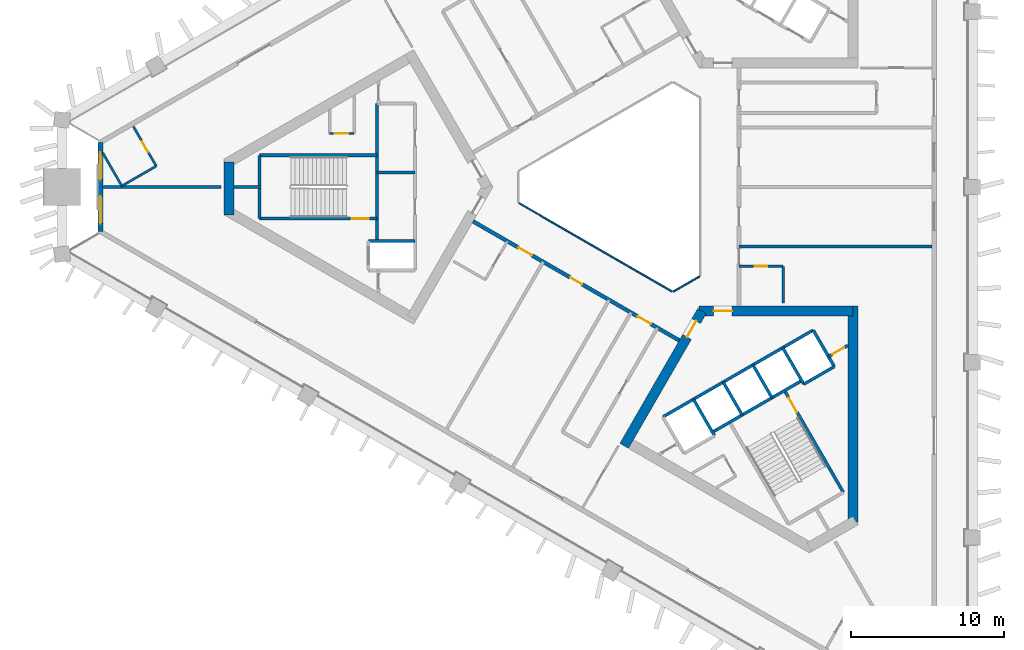
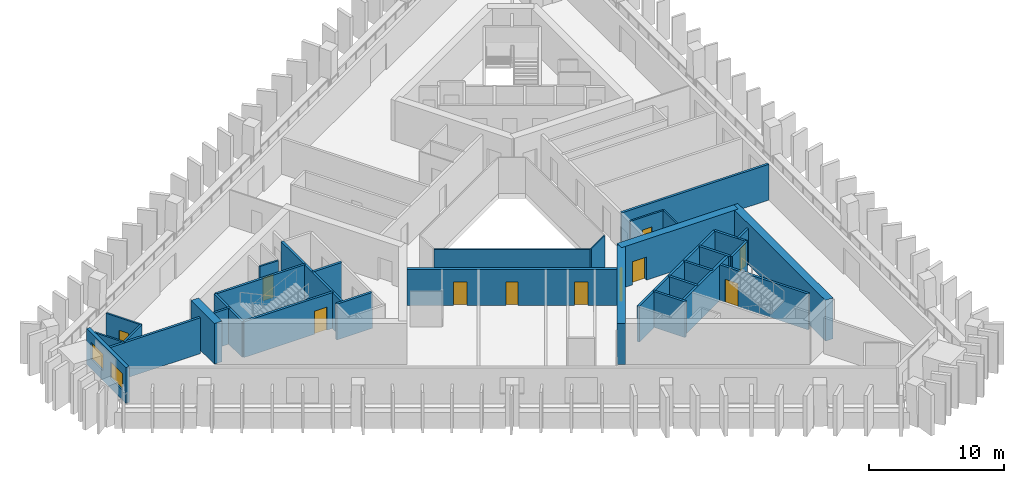
# One storey, part 3 of 10: 33 walls, 11 doors, 2 windows, 13 openings.
"""IFC4 building model written with IfcOpenShell, lengths in metres."""

from ifc_helpers import new_model, si_unit, direction, frame, frame_2d, origin, place, context, subcontext, project, spatial, rectangle, extrude, material, layer, layer_set, type_object, element, fill, save


model = new_model("IFC4")

# Units and contexts
model_context = context("Model", 3, precision=1e-05, world=origin(), true_north=direction((0.0, 1.0)))
body_context = subcontext(model_context, "Body", "Model", "MODEL_VIEW")
ifc_project = project(units=[si_unit("LENGTHUNIT", "METRE"), si_unit("AREAUNIT", "SQUARE_METRE"), si_unit("VOLUMEUNIT", "CUBIC_METRE"), si_unit("PLANEANGLEUNIT", "RADIAN"), si_unit("MASSUNIT", "GRAM", prefix="KILO")], contexts=[model_context])

# Site, building, storey
site_placement = place(None, origin())
site = spatial("IfcSite", under=ifc_project, at=site_placement, CompositionType="ELEMENT")
building_placement = place(site_placement, origin())
building = spatial("IfcBuilding", under=site, at=building_placement, Name="Jabali Bay Hotel Tower and Convention Centre", CompositionType="ELEMENT")
storey_placement = place(building_placement, frame((0.0, 0.0, 110.5)))
storey = spatial("IfcBuildingStorey", under=building, at=storey_placement, Name="L26", CompositionType="ELEMENT", Elevation=110.5)

# Walls
ifc_material_1 = material(Name="Fire-resistant glazing", Category="glass")
ifc_layer_1 = layer(ifc_material_1, 0.10009765625)
ifc_layer_set_1 = layer_set([ifc_layer_1], Name="Fire-resistant glazing")
wall_type_1 = type_object("IfcWallType", Name="Atrium glazed screen 100", PredefinedType="PARTITIONING", material=ifc_layer_set_1)
wall_1_placement = place(storey_placement, frame((67.7021484375, 78.947998046875, 0.0), z_axis=(0.0, 0.0, 1.0), x_axis=(0.866026658274, -0.499997827154, 0.0)))
element("IfcWall", 1, at=wall_1_placement, inside=storey, type_object=wall_type_1, Name="Atrium screen 5 L26", PredefinedType="PARTITIONING", context=body_context, shape_type="SweptSolid", body=[
    extrude(rectangle(XDim=11.58837890625, YDim=0.10009765625, at=frame_2d((5.794189453125, 0.0))), origin(), (0.0, 0.0, 1.0), 3.25),
])
wall_2_placement = place(storey_placement, frame((77.7978515625, 73.15380859375, 0.0), z_axis=(0.0, 0.0, 1.0), x_axis=(0.866041268327, 0.499972520799, 0.0)))
element("IfcWall", 2, at=wall_2_placement, inside=storey, type_object=wall_type_1, Name="Atrium screen 6 L26", PredefinedType="PARTITIONING", context=body_context, shape_type="SweptSolid", body=[
    extrude(rectangle(XDim=2.0, YDim=0.10009765625, at=frame_2d((1.0, 0.0))), origin(), (0.0, 0.0, 1.0), 3.25),
])
ifc_material_2 = material(Name="Concrete C40", Category="concrete")
ifc_layer_2 = layer(ifc_material_2, 0.199951171875)
ifc_layer_set_2 = layer_set([ifc_layer_2], Name="Concrete C40")
wall_type_2 = type_object("IfcWallType", Name="Core partition wall 200", PredefinedType="PARTITIONING", material=ifc_layer_set_2)
wall_3_placement = place(storey_placement, frame((50.820068359375, 80.0, 0.0), z_axis=(0.0, 0.0, 1.0), x_axis=(-1.0, 0.0, 0.0)))
element("IfcWall", 3, at=wall_3_placement, inside=storey, type_object=wall_type_2, Name="Core wall 0.4 L26", PredefinedType="PARTITIONING", context=body_context, shape_type="SweptSolid", body=[
    extrude(rectangle(XDim=1.773193359375, YDim=0.199951171875, at=frame_2d((0.88671875, 0.0))), origin(), (0.0, 0.0, 1.0), 3.25),
])

# Wall, opening, door
wall_4_placement = place(storey_placement, frame((87.964599609375, 68.89453125, 0.0), z_axis=(0.0, 0.0, 1.0), x_axis=(0.866054810376, 0.49994906283, 0.0)))
wall_4 = element("IfcWall", 4, at=wall_4_placement, inside=storey, type_object=wall_type_2, Name="Core wall 2.12 L26", PredefinedType="PARTITIONING", context=body_context, shape_type="SweptSolid", body=[
    extrude(rectangle(XDim=1.461181640625, YDim=0.199951171875, at=frame_2d((0.73046875, 0.0))), origin(), (0.0, 0.0, 1.0), 3.25),
])
opening_1_placement = place(wall_4_placement, frame((0.280517578125, 0.0, 0.0)))
opening_1 = element("IfcOpeningElement", 5, at=opening_1_placement, cuts=wall_4, Name="Opening D598", PredefinedType="OPENING", context=body_context, shape_type="SweptSolid", body=[
    extrude(rectangle(XDim=0.89990234375, YDim=2.10009765625, at=frame_2d((0.449951171875, 1.050048828125))), frame((0.0, 0.1103515625, 0.0), z_axis=(0.0, -1.0, 0.0), x_axis=(1.0, 0.0, 0.0)), (0.0, 0.0, 1.0), 0.220947265625),
])
ifc_material_3 = material(Name="Fire-rated steel door", Category="steel")
door_type_1 = type_object("IfcDoorType", Name="Vestibule fire door 900 x 2100", OperationType="NOTDEFINED", PredefinedType="NOTDEFINED", material=ifc_material_3)
door_1_placement = place(opening_1_placement, origin())
door_1 = element("IfcDoor", 6, at=door_1_placement, inside=storey, type_object=door_type_1, Name="Vestibule fire door D598", OperationType="SINGLE_SWING_LEFT", OverallHeight=2.10009765625, OverallWidth=0.89990234375, PredefinedType="NOTDEFINED", context=body_context, shape_type="SweptSolid", body=[
    extrude(rectangle(XDim=0.89990234375, YDim=2.10009765625, at=frame_2d((0.449951171875, 1.050048828125))), frame((0.0, 0.02490234375, 0.0), z_axis=(0.0, -1.0, 0.0), x_axis=(1.0, 0.0, 0.0)), (0.0, 0.0, 1.0), 0.050048828125),
])
fill(opening_1, door_1)

ifc_material_4 = material(Name="Fire-rated board partition")
ifc_layer_3 = layer(ifc_material_4, 0.14990234375)
ifc_layer_set_3 = layer_set([ifc_layer_3], Name="Fire-rated board partition")
wall_type_3 = type_object("IfcWallType", Name="Core room partition 150", PredefinedType="PARTITIONING", material=ifc_layer_set_3)
wall_5_placement = place(storey_placement, frame((56.919921875, 83.5, 0.0), z_axis=(0.0, 0.0, 1.0), x_axis=(-1.0, 0.0, 0.0)))
wall_5 = element("IfcWall", 7, at=wall_5_placement, inside=storey, type_object=wall_type_3, Name="Core wall 0.1 L26", PredefinedType="PARTITIONING", context=body_context, shape_type="SweptSolid", body=[
    extrude(rectangle(XDim=1.599853515625, YDim=0.14990234375, at=frame_2d((0.7998046875, 0.0))), origin(), (0.0, 0.0, 1.0), 3.25),
])
opening_2_placement = place(wall_5_placement, frame((0.387451171875, 0.0, 0.0)))
opening_2 = element("IfcOpeningElement", 8, at=opening_2_placement, cuts=wall_5, Name="Opening D589", PredefinedType="OPENING", context=body_context, shape_type="SweptSolid", body=[
    extrude(rectangle(XDim=0.89990234375, YDim=2.10009765625, at=frame_2d((0.449951171875, 1.050048828125))), frame((0.0, 0.08544921875, 0.0), z_axis=(0.0, -1.0, 0.0), x_axis=(1.0, 0.0, 0.0)), (0.0, 0.0, 1.0), 0.1708984375),
])
door_type_2 = type_object("IfcDoorType", Name="Core room door 900 x 2100", OperationType="NOTDEFINED", PredefinedType="NOTDEFINED", material=ifc_material_3)
door_2_placement = place(opening_2_placement, origin())
door_2 = element("IfcDoor", 9, at=door_2_placement, inside=storey, type_object=door_type_2, Name="Core room door D589", OperationType="SINGLE_SWING_LEFT", OverallHeight=2.10009765625, OverallWidth=0.89990234375, PredefinedType="NOTDEFINED", context=body_context, shape_type="SweptSolid", body=[
    extrude(rectangle(XDim=0.89990234375, YDim=2.10009765625, at=frame_2d((0.449951171875, 1.050048828125))), frame((0.0, 0.02490234375, 0.0), z_axis=(0.0, -1.0, 0.0), x_axis=(1.0, 0.0, 0.0)), (0.0, 0.0, 1.0), 0.050048828125),
])
fill(opening_2, door_2)

# Walls
ifc_layer_4 = layer(ifc_material_2, 0.199951171875)
ifc_layer_set_4 = layer_set([ifc_layer_4], Name="Concrete C40")
wall_type_4 = type_object("IfcWallType", Name="Core stair wall 200", PredefinedType="SOLIDWALL", material=ifc_layer_set_4)
wall_6_placement = place(storey_placement, frame((58.419921875, 82.074951171875, 0.0), z_axis=(0.0, 0.0, 1.0), x_axis=(-1.0, 0.0, 0.0)))
element("IfcWall", 10, at=wall_6_placement, inside=storey, type_object=wall_type_4, Name="Core wall 0.2 L26", PredefinedType="SOLIDWALL", context=body_context, shape_type="SweptSolid", body=[
    extrude(rectangle(XDim=7.699951171875, YDim=0.199951171875, at=frame_2d((3.85009765625, 0.0))), origin(), (0.0, 0.0, 1.0), 3.25),
])
wall_7_placement = place(storey_placement, frame((60.89990234375, 80.949951171875, 0.0), z_axis=(0.0, 0.0, 1.0), x_axis=(-1.0, 0.0, 0.0)))
element("IfcWall", 11, at=wall_7_placement, inside=storey, type_object=wall_type_4, Name="Core wall 0.3 L26", PredefinedType="SOLIDWALL", context=body_context, shape_type="SweptSolid", body=[
    extrude(rectangle(XDim=2.47998046875, YDim=0.199951171875, at=frame_2d((1.239990234375, 0.0))), origin(), (0.0, 0.0, 1.0), 3.25),
])

# Wall, opening, door
wall_8_placement = place(storey_placement, frame((58.419921875, 77.925048828125, 0.0), z_axis=(0.0, 0.0, 1.0), x_axis=(-1.0, 0.0, 0.0)))
wall_8 = element("IfcWall", 12, at=wall_8_placement, inside=storey, type_object=wall_type_4, Name="Core wall 0.5 L26", PredefinedType="SOLIDWALL", context=body_context, shape_type="SweptSolid", body=[
    extrude(rectangle(XDim=7.699951171875, YDim=0.199951171875, at=frame_2d((3.85009765625, 0.0))), origin(), (0.0, 0.0, 1.0), 3.25),
])
opening_3_placement = place(wall_8_placement, frame((0.550048828125, 0.0, 0.0)))
opening_3 = element("IfcOpeningElement", 13, at=opening_3_placement, cuts=wall_8, Name="Opening D588", PredefinedType="OPENING", context=body_context, shape_type="SweptSolid", body=[
    extrude(rectangle(XDim=1.10009765625, YDim=2.10009765625, at=frame_2d((0.550048828125, 1.050048828125))), frame((0.0, 0.1103515625, 0.0), z_axis=(0.0, -1.0, 0.0), x_axis=(1.0, 0.0, 0.0)), (0.0, 0.0, 1.0), 0.220947265625),
])
door_type_3 = type_object("IfcDoorType", Name="Stair fire door 1100 x 2100", OperationType="NOTDEFINED", PredefinedType="NOTDEFINED", material=ifc_material_3)
door_3_placement = place(opening_3_placement, origin())
door_3 = element("IfcDoor", 14, at=door_3_placement, inside=storey, type_object=door_type_3, Name="Stair fire door D588", OperationType="SINGLE_SWING_RIGHT", OverallHeight=2.10009765625, OverallWidth=1.10009765625, PredefinedType="NOTDEFINED", context=body_context, shape_type="SweptSolid", body=[
    extrude(rectangle(XDim=1.10009765625, YDim=2.10009765625, at=frame_2d((0.550048828125, 1.050048828125))), frame((0.0, 0.02490234375, 0.0), z_axis=(0.0, -1.0, 0.0), x_axis=(1.0, 0.0, 0.0)), (0.0, 0.0, 1.0), 0.050048828125),
])
fill(opening_3, door_3)

# Walls
wall_9_placement = place(storey_placement, frame((60.89990234375, 76.449951171875, 0.0), z_axis=(0.0, 0.0, 1.0), x_axis=(-1.0, 0.0, 0.0)))
element("IfcWall", 15, at=wall_9_placement, inside=storey, type_object=wall_type_4, Name="Core wall 0.6 L26", PredefinedType="SOLIDWALL", context=body_context, shape_type="SweptSolid", body=[
    extrude(rectangle(XDim=3.0498046875, YDim=0.199951171875, at=frame_2d((1.52490234375, 0.0))), origin(), (0.0, 0.0, 1.0), 3.25),
])
wall_10_placement = place(storey_placement, frame((58.419921875, 85.449951171875, 0.0), z_axis=(0.0, 0.0, 1.0), x_axis=(0.0, -1.0, 0.0)))
element("IfcWall", 16, at=wall_10_placement, inside=storey, type_object=wall_type_4, Name="Core wall 0.11 L26", PredefinedType="SOLIDWALL", context=body_context, shape_type="SweptSolid", body=[
    extrude(rectangle(XDim=9.0, YDim=0.199951171875, at=frame_2d((4.5, 0.0))), origin(), (0.0, 0.0, 1.0), 3.25),
])
wall_11_placement = place(storey_placement, frame((50.719970703125, 82.074951171875, 0.0), z_axis=(0.0, 0.0, 1.0), x_axis=(0.0, -1.0, 0.0)))
element("IfcWall", 17, at=wall_11_placement, inside=storey, type_object=wall_type_4, Name="Core wall 0.15 L26", PredefinedType="SOLIDWALL", context=body_context, shape_type="SweptSolid", body=[
    extrude(rectangle(XDim=4.14990234375, YDim=0.199951171875, at=frame_2d((2.074951171875, 0.0))), origin(), (0.0, 0.0, 1.0), 3.25),
])
wall_12_placement = place(storey_placement, frame((79.127197265625, 66.1015625, 0.0), z_axis=(0.0, 0.0, 1.0), x_axis=(0.499996545922, -0.866027397988, 0.0)))
element("IfcWall", 18, at=wall_12_placement, inside=storey, type_object=wall_type_4, Name="Core wall 2.2 L26", PredefinedType="SOLIDWALL", context=body_context, shape_type="SweptSolid", body=[
    extrude(rectangle(XDim=2.75, YDim=0.199951171875, at=frame_2d((1.375, 0.0))), origin(), (0.0, 0.0, 1.0), 3.25),
])
for number, where, z_axis, x_axis, name in (
    (19, (81.07568359375, 67.2265625, 0.0), (0.0, 0.0, 1.0), (0.50000366821, -0.866023285932, 0.0), "Core wall 2.4 L26"),
    (20, (83.024169921875, 68.3515625, 0.0), (0.0, 0.0, 1.0), (0.50000366821, -0.866023285932, 0.0), "Core wall 2.6 L26"),
):
    element("IfcWall", number, at=place(storey_placement, frame(where, z_axis=z_axis, x_axis=x_axis)), inside=storey, type_object=wall_type_4, Name=name, PredefinedType="SOLIDWALL", context=body_context, shape_type="SweptSolid", body=[
        extrude(rectangle(XDim=2.47998046875, YDim=0.199951171875, at=frame_2d((1.239990234375, 0.0))), origin(), (0.0, 0.0, 1.0), 3.25),
    ])

# Wall, opening, door
wall_13_placement = place(storey_placement, frame((85.0869140625, 66.6787109375, 0.0), z_axis=(0.0, 0.0, 1.0), x_axis=(0.500019787375, -0.866013979237, 0.0)))
wall_13 = element("IfcWall", 21, at=wall_13_placement, inside=storey, type_object=wall_type_4, Name="Core wall 2.7 L26", PredefinedType="SOLIDWALL", context=body_context, shape_type="SweptSolid", body=[
    extrude(rectangle(XDim=7.699951171875, YDim=0.199951171875, at=frame_2d((3.85009765625, 0.0))), origin(), (0.0, 0.0, 1.0), 3.25),
])
opening_4_placement = place(wall_13_placement, frame((0.550048828125, 0.0, 0.0)))
opening_4 = element("IfcOpeningElement", 22, at=opening_4_placement, cuts=wall_13, Name="Opening D600", PredefinedType="OPENING", context=body_context, shape_type="SweptSolid", body=[
    extrude(rectangle(XDim=1.10009765625, YDim=2.10009765625, at=frame_2d((0.550048828125, 1.050048828125))), frame((0.0, 0.1103515625, 0.0), z_axis=(0.0, -1.0, 0.0), x_axis=(1.0, 0.0, 0.0)), (0.0, 0.0, 1.0), 0.220947265625),
])
door_4_placement = place(opening_4_placement, origin())
door_4 = element("IfcDoor", 23, at=door_4_placement, inside=storey, type_object=door_type_3, Name="Stair fire door D600", OperationType="SINGLE_SWING_RIGHT", OverallHeight=2.10009765625, OverallWidth=1.10009765625, PredefinedType="NOTDEFINED", context=body_context, shape_type="SweptSolid", body=[
    extrude(rectangle(XDim=1.10009765625, YDim=2.10009765625, at=frame_2d((0.550048828125, 1.050048828125))), frame((0.0, 0.02490234375, 0.0), z_axis=(0.0, -1.0, 0.0), x_axis=(1.0, 0.0, 0.0)), (0.0, 0.0, 1.0), 0.050048828125),
])
fill(opening_4, door_4)

# Walls
for number, where, z_axis, x_axis, name in (
    (24, (84.972900390625, 69.4765625, 0.0), (0.0, 0.0, 1.0), (0.499996545922, -0.866027397988, 0.0), "Core wall 2.8 L26"),
    (25, (86.964599609375, 70.62646484375, 0.0), (0.0, 0.0, 1.0), (0.499996545922, -0.866027397988, 0.0), "Core wall 2.9 L26"),
):
    element("IfcWall", number, at=place(storey_placement, frame(where, z_axis=z_axis, x_axis=x_axis)), inside=storey, type_object=wall_type_4, Name=name, PredefinedType="SOLIDWALL", context=body_context, shape_type="SweptSolid", body=[
        extrude(rectangle(XDim=2.75, YDim=0.199951171875, at=frame_2d((1.375, 0.0))), origin(), (0.0, 0.0, 1.0), 3.25),
    ])
wall_14_placement = place(storey_placement, frame((77.13525390625, 64.95166015625, 0.0), z_axis=(0.0, 0.0, 1.0), x_axis=(0.866031916153, 0.499988720078, 0.0)))
element("IfcWall", 26, at=wall_14_placement, inside=storey, type_object=wall_type_4, Name="Core wall 2.10 L26", PredefinedType="SOLIDWALL", context=body_context, shape_type="SweptSolid", body=[
    extrude(rectangle(XDim=11.349853515625, YDim=0.199951171875, at=frame_2d((5.6748046875, 0.0))), origin(), (0.0, 0.0, 1.0), 3.25),
])
wall_15_placement = place(storey_placement, frame((80.3671875, 63.953857421875, 0.0), z_axis=(0.0, 0.0, 1.0), x_axis=(0.866026575979, 0.499997969693, 0.0)))
element("IfcWall", 27, at=wall_15_placement, inside=storey, type_object=wall_type_4, Name="Core wall 2.13 L26", PredefinedType="SOLIDWALL", context=body_context, shape_type="SweptSolid", body=[
    extrude(rectangle(XDim=6.75, YDim=0.199951171875, at=frame_2d((3.375, 0.0))), origin(), (0.0, 0.0, 1.0), 3.25),
])
wall_16_placement = place(storey_placement, frame((86.347900390625, 67.094970703125, 0.0), z_axis=(0.0, 0.0, 1.0), x_axis=(0.86602648383, 0.499998129301, 0.0)))
element("IfcWall", 28, at=wall_16_placement, inside=storey, type_object=wall_type_4, Name="Core wall 2.15 L26", PredefinedType="SOLIDWALL", context=body_context, shape_type="SweptSolid", body=[
    extrude(rectangle(XDim=2.2998046875, YDim=0.199951171875, at=frame_2d((1.14990234375, 0.0))), origin(), (0.0, 0.0, 1.0), 3.25),
])
ifc_material_5 = material(Name="Concrete C60", Category="concrete")
ifc_layer_5 = layer(ifc_material_5, 0.64990234375)
ifc_layer_set_5 = layer_set([ifc_layer_5], Name="Concrete C60")
wall_type_5 = type_object("IfcWallType", Name="Core wall 650", PredefinedType="SHEAR", material=ifc_layer_set_5)
wall_17_placement = place(storey_placement, frame((48.721923828125, 81.635009765625, 0.0), z_axis=(0.0, 0.0, 1.0), x_axis=(0.0, -1.0, 0.0)))
element("IfcWall", 29, at=wall_17_placement, inside=storey, type_object=wall_type_5, Name="Core wall 1.3 L26", PredefinedType="SHEAR", context=body_context, shape_type="SweptSolid", body=[
    extrude(rectangle(XDim=3.457763671875, YDim=0.64990234375, at=frame_2d((1.72900390625, 0.0))), origin(), (0.0, 0.0, 1.0), 3.699951171875),
])

# Wall, opening, door
wall_18_placement = place(storey_placement, frame((79.687744140625, 71.880859375, 0.0), z_axis=(0.0, 0.0, 1.0), x_axis=(-0.49999822179, -0.866026430432, 0.0)))
wall_18 = element("IfcWall", 30, at=wall_18_placement, inside=storey, type_object=wall_type_5, Name="Core wall 3.1 L26", PredefinedType="SHEAR", context=body_context, shape_type="SweptSolid", body=[
    extrude(rectangle(XDim=10.1923828125, YDim=0.64990234375, at=frame_2d((5.09619140625, 0.0))), origin(), (0.0, 0.0, 1.0), 3.699951171875),
])
opening_5_placement = place(wall_18_placement, frame((0.762451171875, 0.0, 0.0)))
opening_5 = element("IfcOpeningElement", 31, at=opening_5_placement, cuts=wall_18, Name="Opening D596", PredefinedType="OPENING", context=body_context, shape_type="SweptSolid", body=[
    extrude(rectangle(XDim=1.199951171875, YDim=2.10009765625, at=frame_2d((0.60009765625, 1.050048828125))), frame((0.0, 0.33544921875, 0.0), z_axis=(0.0, -1.0, 0.0), x_axis=(1.0, 0.0, 0.0)), (0.0, 0.0, 1.0), 0.6708984375),
])
door_type_4 = type_object("IfcDoorType", Name="Corridor end fire door 1200 x 2100", OperationType="NOTDEFINED", PredefinedType="NOTDEFINED", material=ifc_material_3)
door_5_placement = place(opening_5_placement, origin())
door_5 = element("IfcDoor", 32, at=door_5_placement, inside=storey, type_object=door_type_4, Name="Corridor end fire door D596", OperationType="SINGLE_SWING_RIGHT", OverallHeight=2.10009765625, OverallWidth=1.199951171875, PredefinedType="NOTDEFINED", context=body_context, shape_type="SweptSolid", body=[
    extrude(rectangle(XDim=1.199951171875, YDim=2.10009765625, at=frame_2d((0.60009765625, 1.050048828125))), frame((0.0, 0.02490234375, 0.0), z_axis=(0.0, -1.0, 0.0), x_axis=(1.0, 0.0, 0.0)), (0.0, 0.0, 1.0), 0.050048828125),
])
fill(opening_5, door_5)

# Wall
wall_19_placement = place(storey_placement, frame((89.554931640625, 58.06005859375, 0.0), z_axis=(0.0, 0.0, 1.0), x_axis=(0.0, 1.0, 0.0)))
element("IfcWall", 33, at=wall_19_placement, inside=storey, type_object=wall_type_5, Name="Core wall 3.4 L26", PredefinedType="SHEAR", context=body_context, shape_type="SweptSolid", body=[
    extrude(rectangle(XDim=14.145751953125, YDim=0.64990234375, at=frame_2d((7.07275390625, 0.0))), origin(), (0.0, 0.0, 1.0), 3.699951171875),
])

# Wall, opening, door
wall_20_placement = place(storey_placement, frame((89.554931640625, 71.880859375, 0.0), z_axis=(0.0, 0.0, 1.0), x_axis=(-1.0, 0.0, 0.0)))
wall_20 = element("IfcWall", 34, at=wall_20_placement, inside=storey, type_object=wall_type_5, Name="Core wall 3.5 L26", PredefinedType="SHEAR", context=body_context, shape_type="SweptSolid", body=[
    extrude(rectangle(XDim=10.054931640625, YDim=0.64990234375, at=frame_2d((5.02734375, 0.0))), origin(), (0.0, 0.0, 1.0), 3.699951171875),
])
opening_6_placement = place(wall_20_placement, frame((7.905029296875, 0.0, 0.0)))
opening_6 = element("IfcOpeningElement", 35, at=opening_6_placement, cuts=wall_20, Name="Opening D597", PredefinedType="OPENING", context=body_context, shape_type="SweptSolid", body=[
    extrude(rectangle(XDim=1.199951171875, YDim=2.10009765625, at=frame_2d((0.60009765625, 1.050048828125))), frame((0.0, 0.33544921875, 0.0), z_axis=(0.0, -1.0, 0.0), x_axis=(1.0, 0.0, 0.0)), (0.0, 0.0, 1.0), 0.6708984375),
])
door_6_placement = place(opening_6_placement, origin())
door_6 = element("IfcDoor", 36, at=door_6_placement, inside=storey, type_object=door_type_4, Name="Corridor end fire door D597", OperationType="SINGLE_SWING_LEFT", OverallHeight=2.10009765625, OverallWidth=1.199951171875, PredefinedType="NOTDEFINED", context=body_context, shape_type="SweptSolid", body=[
    extrude(rectangle(XDim=1.199951171875, YDim=2.10009765625, at=frame_2d((0.60009765625, 1.050048828125))), frame((0.0, 0.02490234375, 0.0), z_axis=(0.0, -1.0, 0.0), x_axis=(1.0, 0.0, 0.0)), (0.0, 0.0, 1.0), 0.050048828125),
])
fill(opening_6, door_6)

# Wall, openings, doors
ifc_layer_6 = layer(ifc_material_5, 0.25)
ifc_layer_set_6 = layer_set([ifc_layer_6], Name="Concrete C60")
wall_type_6 = type_object("IfcWallType", Name="Corridor wall 250", PredefinedType="SHEAR", material=ifc_layer_set_6)
wall_21_placement = place(storey_placement, frame((64.699951171875, 77.748291015625, 0.0), z_axis=(0.0, 0.0, 1.0), x_axis=(0.866026492143, -0.499998114903, 0.0)))
wall_21 = element("IfcWall", 37, at=wall_21_placement, inside=storey, type_object=wall_type_6, Name="Corridor wall 3 L26", PredefinedType="SHEAR", context=body_context, shape_type="SweptSolid", body=[
    extrude(rectangle(XDim=15.58837890625, YDim=0.25, at=frame_2d((7.794189453125, 0.0))), origin(), (0.0, 0.0, 1.0), 3.25),
])
opening_7_placement = place(wall_21_placement, frame((3.449951171875, 0.0, 0.0)))
opening_7 = element("IfcOpeningElement", 38, at=opening_7_placement, cuts=wall_21, Name="Opening 2617", PredefinedType="OPENING", context=body_context, shape_type="SweptSolid", body=[
    extrude(rectangle(XDim=1.0, YDim=2.10009765625, at=frame_2d((0.5, 1.050048828125))), frame((0.0, 0.135498046875, 0.0), z_axis=(0.0, -1.0, 0.0), x_axis=(1.0, 0.0, 0.0)), (0.0, 0.0, 1.0), 0.27099609375),
])
opening_8_placement = place(wall_21_placement, frame((7.34423828125, 0.0, 0.0)))
opening_8 = element("IfcOpeningElement", 39, at=opening_8_placement, cuts=wall_21, Name="Opening 2618", PredefinedType="OPENING", context=body_context, shape_type="SweptSolid", body=[
    extrude(rectangle(XDim=0.89990234375, YDim=2.10009765625, at=frame_2d((0.449951171875, 1.050048828125))), frame((0.0, 0.135498046875, 0.0), z_axis=(0.0, -1.0, 0.0), x_axis=(1.0, 0.0, 0.0)), (0.0, 0.0, 1.0), 0.27099609375),
])
opening_9_placement = place(wall_21_placement, frame((12.4384765625, 0.0, 0.0)))
opening_9 = element("IfcOpeningElement", 40, at=opening_9_placement, cuts=wall_21, Name="Opening 2619", PredefinedType="OPENING", context=body_context, shape_type="SweptSolid", body=[
    extrude(rectangle(XDim=1.0, YDim=2.10009765625, at=frame_2d((0.5, 1.050048828125))), frame((0.0, 0.135498046875, 0.0), z_axis=(0.0, -1.0, 0.0), x_axis=(1.0, 0.0, 0.0)), (0.0, 0.0, 1.0), 0.27099609375),
])
ifc_material_6 = material(Name="Timber", Category="wood")
door_type_5 = type_object("IfcDoorType", Name="Guest room door 1000 x 2100", OperationType="NOTDEFINED", PredefinedType="NOTDEFINED", material=ifc_material_6)
door_7_placement = place(opening_7_placement, origin())
door_7 = element("IfcDoor", 41, at=door_7_placement, inside=storey, type_object=door_type_5, Name="Door 2617", OperationType="SINGLE_SWING_LEFT", OverallHeight=2.10009765625, OverallWidth=1.0, PredefinedType="NOTDEFINED", context=body_context, shape_type="SweptSolid", body=[
    extrude(rectangle(XDim=1.0, YDim=2.10009765625, at=frame_2d((0.5, 1.050048828125))), frame((0.0, 0.02490234375, 0.0), z_axis=(0.0, -1.0, 0.0), x_axis=(1.0, 0.0, 0.0)), (0.0, 0.0, 1.0), 0.050048828125),
])
fill(opening_7, door_7)
door_8_placement = place(opening_9_placement, origin())
door_8 = element("IfcDoor", 42, at=door_8_placement, inside=storey, type_object=door_type_5, Name="Door 2619", OperationType="SINGLE_SWING_RIGHT", OverallHeight=2.10009765625, OverallWidth=1.0, PredefinedType="NOTDEFINED", context=body_context, shape_type="SweptSolid", body=[
    extrude(rectangle(XDim=1.0, YDim=2.10009765625, at=frame_2d((0.5, 1.050048828125))), frame((0.0, 0.02490234375, 0.0), z_axis=(0.0, -1.0, 0.0), x_axis=(1.0, 0.0, 0.0)), (0.0, 0.0, 1.0), 0.050048828125),
])
fill(opening_9, door_8)
door_type_6 = type_object("IfcDoorType", Name="Internal door 900 x 2100", OperationType="NOTDEFINED", PredefinedType="NOTDEFINED", material=ifc_material_6)
door_9_placement = place(opening_8_placement, origin())
door_9 = element("IfcDoor", 43, at=door_9_placement, inside=storey, type_object=door_type_6, Name="Door 2618", OperationType="SINGLE_SWING_LEFT", OverallHeight=2.10009765625, OverallWidth=0.89990234375, PredefinedType="NOTDEFINED", context=body_context, shape_type="SweptSolid", body=[
    extrude(rectangle(XDim=0.89990234375, YDim=2.10009765625, at=frame_2d((0.449951171875, 1.050048828125))), frame((0.0, 0.02490234375, 0.0), z_axis=(0.0, -1.0, 0.0), x_axis=(1.0, 0.0, 0.0)), (0.0, 0.0, 1.0), 0.050048828125),
])
fill(opening_8, door_9)

# Wall, openings, windows
ifc_layer_7 = layer(ifc_material_2, 0.300048828125)
ifc_layer_set_7 = layer_set([ifc_layer_7], Name="Concrete C40")
wall_type_7 = type_object("IfcWallType", Name="External wall 300", PredefinedType="SOLIDWALL", material=ifc_layer_set_7)
wall_22_placement = place(storey_placement, frame((40.31494140625, 77.075927734375, 0.0), z_axis=(0.0, 0.0, 1.0), x_axis=(0.0, 1.0, 0.0)))
wall_22 = element("IfcWall", 44, at=wall_22_placement, inside=storey, type_object=wall_type_7, Name="External wall west chamfer L26", PredefinedType="SOLIDWALL", context=body_context, shape_type="SweptSolid", body=[
    extrude(rectangle(XDim=5.84814453125, YDim=0.300048828125, at=frame_2d((2.924072265625, 0.0))), origin(), (0.0, 0.0, 1.0), 3.25),
])
opening_10_placement = place(wall_22_placement, frame((3.3984375, 0.0, 0.89990234375)))
opening_10 = element("IfcOpeningElement", 45, at=opening_10_placement, cuts=wall_22, Name="Opening W1", PredefinedType="OPENING", context=body_context, shape_type="SweptSolid", body=[
    extrude(rectangle(XDim=1.800048828125, YDim=1.5, at=frame_2d((0.89990234375, 0.75))), frame((0.0, 0.16064453125, 0.0), z_axis=(0.0, -1.0, 0.0), x_axis=(1.0, 0.0, 0.0)), (0.0, 0.0, 1.0), 0.321044921875),
])
opening_11_placement = place(wall_22_placement, frame((0.519287109375, 0.0, 0.89990234375)))
opening_11 = element("IfcOpeningElement", 46, at=opening_11_placement, cuts=wall_22, Name="Opening W1", PredefinedType="OPENING", context=body_context, shape_type="SweptSolid", body=[
    extrude(rectangle(XDim=1.800048828125, YDim=1.5, at=frame_2d((0.89990234375, 0.75))), frame((0.0, 0.16064453125, 0.0), z_axis=(0.0, -1.0, 0.0), x_axis=(1.0, 0.0, 0.0)), (0.0, 0.0, 1.0), 0.321044921875),
])
ifc_material_7 = material(Name="Glass", Category="glass")
window_type = type_object("IfcWindowType", Name="Window 1800 x 1500", PartitioningType="SINGLE_PANEL", PredefinedType="WINDOW", material=ifc_material_7)
window_1_placement = place(opening_10_placement, origin())
window_1 = element("IfcWindow", 47, at=window_1_placement, inside=storey, type_object=window_type, Name="Window 2605", OverallHeight=1.5, OverallWidth=1.800048828125, PartitioningType="SINGLE_PANEL", PredefinedType="WINDOW", context=body_context, shape_type="SweptSolid", body=[
    extrude(rectangle(XDim=1.800048828125, YDim=1.5, at=frame_2d((0.89990234375, 0.75))), frame((0.0, 0.030029296875, 0.0), z_axis=(0.0, -1.0, 0.0), x_axis=(1.0, 0.0, 0.0)), (0.0, 0.0, 1.0), 0.06005859375),
])
fill(opening_10, window_1)
window_2_placement = place(opening_11_placement, origin())
window_2 = element("IfcWindow", 48, at=window_2_placement, inside=storey, type_object=window_type, Name="Window 2607", OverallHeight=1.5, OverallWidth=1.800048828125, PartitioningType="SINGLE_PANEL", PredefinedType="WINDOW", context=body_context, shape_type="SweptSolid", body=[
    extrude(rectangle(XDim=1.800048828125, YDim=1.5, at=frame_2d((0.89990234375, 0.75))), frame((0.0, 0.030029296875, 0.0), z_axis=(0.0, -1.0, 0.0), x_axis=(1.0, 0.0, 0.0)), (0.0, 0.0, 1.0), 0.06005859375),
])
fill(opening_11, window_2)

# Wall, opening, door
ifc_material_8 = material(Name="Plasterboard on steel stud", Category="steel")
ifc_layer_8 = layer(ifc_material_8, 0.14990234375)
ifc_layer_set_8 = layer_set([ifc_layer_8], Name="Plasterboard on steel stud")
wall_type_8 = type_object("IfcWallType", Name="Partition 150 wet", PredefinedType="PARTITIONING", material=ifc_layer_set_8)
wall_23_placement = place(storey_placement, frame((82.10009765625, 74.802978515625, 0.0), z_axis=(0.0, 0.0, 1.0), x_axis=(1.0, 0.0, 0.0)))
wall_23 = element("IfcWall", 49, at=wall_23_placement, inside=storey, type_object=wall_type_8, Name="Partition P03 L26 001", PredefinedType="PARTITIONING", context=body_context, shape_type="SweptSolid", body=[
    extrude(rectangle(XDim=2.89990234375, YDim=0.14990234375, at=frame_2d((1.449951171875, 0.0))), origin(), (0.0, 0.0, 1.0), 3.25),
])
opening_12_placement = place(wall_23_placement, frame((1.050048828125, 0.0, 0.0)))
opening_12 = element("IfcOpeningElement", 50, at=opening_12_placement, cuts=wall_23, Name="Opening 2601", PredefinedType="OPENING", context=body_context, shape_type="SweptSolid", body=[
    extrude(rectangle(XDim=0.800048828125, YDim=2.10009765625, at=frame_2d((0.39990234375, 1.050048828125))), frame((0.0, 0.08544921875, 0.0), z_axis=(0.0, -1.0, 0.0), x_axis=(1.0, 0.0, 0.0)), (0.0, 0.0, 1.0), 0.1708984375),
])
door_type_7 = type_object("IfcDoorType", Name="En-suite door 800 x 2100", OperationType="NOTDEFINED", PredefinedType="NOTDEFINED", material=ifc_material_6)
door_10_placement = place(opening_12_placement, origin())
door_10 = element("IfcDoor", 51, at=door_10_placement, inside=storey, type_object=door_type_7, Name="Door 2601", OperationType="SINGLE_SWING_LEFT", OverallHeight=2.10009765625, OverallWidth=0.800048828125, PredefinedType="NOTDEFINED", context=body_context, shape_type="SweptSolid", body=[
    extrude(rectangle(XDim=0.800048828125, YDim=2.10009765625, at=frame_2d((0.39990234375, 1.050048828125))), frame((0.0, 0.02490234375, 0.0), z_axis=(0.0, -1.0, 0.0), x_axis=(1.0, 0.0, 0.0)), (0.0, 0.0, 1.0), 0.050048828125),
])
fill(opening_12, door_10)

# Wall
wall_24_placement = place(storey_placement, frame((85.0, 74.802978515625, 0.0), z_axis=(0.0, 0.0, 1.0), x_axis=(0.0, -1.0, 0.0)))
element("IfcWall", 52, at=wall_24_placement, inside=storey, type_object=wall_type_8, Name="Partition P03 L26 002", PredefinedType="PARTITIONING", context=body_context, shape_type="SweptSolid", body=[
    extrude(rectangle(XDim=2.398193359375, YDim=0.14990234375, at=frame_2d((1.19921875, 0.0))), origin(), (0.0, 0.0, 1.0), 3.25),
])

# Wall, opening, door
wall_25_placement = place(storey_placement, frame((42.47265625, 83.950439453125, 0.0), z_axis=(0.0, 0.0, 1.0), x_axis=(0.500029427677, -0.866008413041, 0.0)))
wall_25 = element("IfcWall", 53, at=wall_25_placement, inside=storey, type_object=wall_type_8, Name="Partition P03 L26 024", PredefinedType="PARTITIONING", context=body_context, shape_type="SweptSolid", body=[
    extrude(rectangle(XDim=2.983154296875, YDim=0.14990234375, at=frame_2d((1.49169921875, 0.0))), origin(), (0.0, 0.0, 1.0), 3.25),
])
opening_13_placement = place(wall_25_placement, frame((1.13330078125, 0.0, 0.0)))
opening_13 = element("IfcOpeningElement", 54, at=opening_13_placement, cuts=wall_25, Name="Opening 2614", PredefinedType="OPENING", context=body_context, shape_type="SweptSolid", body=[
    extrude(rectangle(XDim=0.800048828125, YDim=2.10009765625, at=frame_2d((0.39990234375, 1.050048828125))), frame((0.0, 0.08544921875, 0.0), z_axis=(0.0, -1.0, 0.0), x_axis=(1.0, 0.0, 0.0)), (0.0, 0.0, 1.0), 0.1708984375),
])
door_11_placement = place(opening_13_placement, origin())
door_11 = element("IfcDoor", 55, at=door_11_placement, inside=storey, type_object=door_type_7, Name="Door 2614", OperationType="SINGLE_SWING_LEFT", OverallHeight=2.10009765625, OverallWidth=0.800048828125, PredefinedType="NOTDEFINED", context=body_context, shape_type="SweptSolid", body=[
    extrude(rectangle(XDim=0.800048828125, YDim=2.10009765625, at=frame_2d((0.39990234375, 1.050048828125))), frame((0.0, 0.02490234375, 0.0), z_axis=(0.0, -1.0, 0.0), x_axis=(1.0, 0.0, 0.0)), (0.0, 0.0, 1.0), 0.050048828125),
])
fill(opening_13, door_11)

# Walls
wall_26_placement = place(storey_placement, frame((43.96435546875, 81.366943359375, 0.0), z_axis=(0.0, 0.0, 1.0), x_axis=(-0.866021400173, -0.500006934395, 0.0)))
element("IfcWall", 56, at=wall_26_placement, inside=storey, type_object=wall_type_8, Name="Partition P03 L26 025", PredefinedType="PARTITIONING", context=body_context, shape_type="SweptSolid", body=[
    extrude(rectangle(XDim=2.60009765625, YDim=0.14990234375, at=frame_2d((1.300048828125, 0.0))), origin(), (0.0, 0.0, 1.0), 3.25),
])
wall_27_placement = place(storey_placement, frame((41.712646484375, 80.06689453125, 0.0), z_axis=(0.0, 0.0, 1.0), x_axis=(-0.500018619731, 0.866014653411, 0.0)))
element("IfcWall", 57, at=wall_27_placement, inside=storey, type_object=wall_type_8, Name="Partition P03 L26 026", PredefinedType="PARTITIONING", context=body_context, shape_type="SweptSolid", body=[
    extrude(rectangle(XDim=2.49755859375, YDim=0.14990234375, at=frame_2d((1.248779296875, 0.0))), origin(), (0.0, 0.0, 1.0), 3.25),
])
ifc_layer_9 = layer(ifc_material_8, 0.199951171875)
ifc_layer_set_9 = layer_set([ifc_layer_9], Name="Plasterboard on steel stud")
wall_type_9 = type_object("IfcWallType", Name="Partition 200 party", PredefinedType="PARTITIONING", material=ifc_layer_set_9)
wall_28_placement = place(storey_placement, frame((94.725830078125, 76.102783203125, 0.0), z_axis=(0.0, 0.0, 1.0), x_axis=(-1.0, 0.0, 0.0)))
element("IfcWall", 58, at=wall_28_placement, inside=storey, type_object=wall_type_9, Name="Partition P01 L26 003", PredefinedType="PARTITIONING", context=body_context, shape_type="SweptSolid", body=[
    extrude(rectangle(XDim=12.625732421875, YDim=0.199951171875, at=frame_2d((6.31298828125, 0.0))), origin(), (0.0, 0.0, 1.0), 3.25),
])
wall_29_placement = place(storey_placement, frame((40.4638671875, 80.0009765625, 0.0), z_axis=(0.0, 0.0, 1.0), x_axis=(1.0, 0.0, 0.0)))
element("IfcWall", 59, at=wall_29_placement, inside=storey, type_object=wall_type_9, Name="Partition P01 L26 027", PredefinedType="PARTITIONING", context=body_context, shape_type="SweptSolid", body=[
    extrude(rectangle(XDim=7.734130859375, YDim=0.199951171875, at=frame_2d((3.8671875, 0.0))), origin(), (0.0, 0.0, 1.0), 3.25),
])

save(model, "model.ifc")
